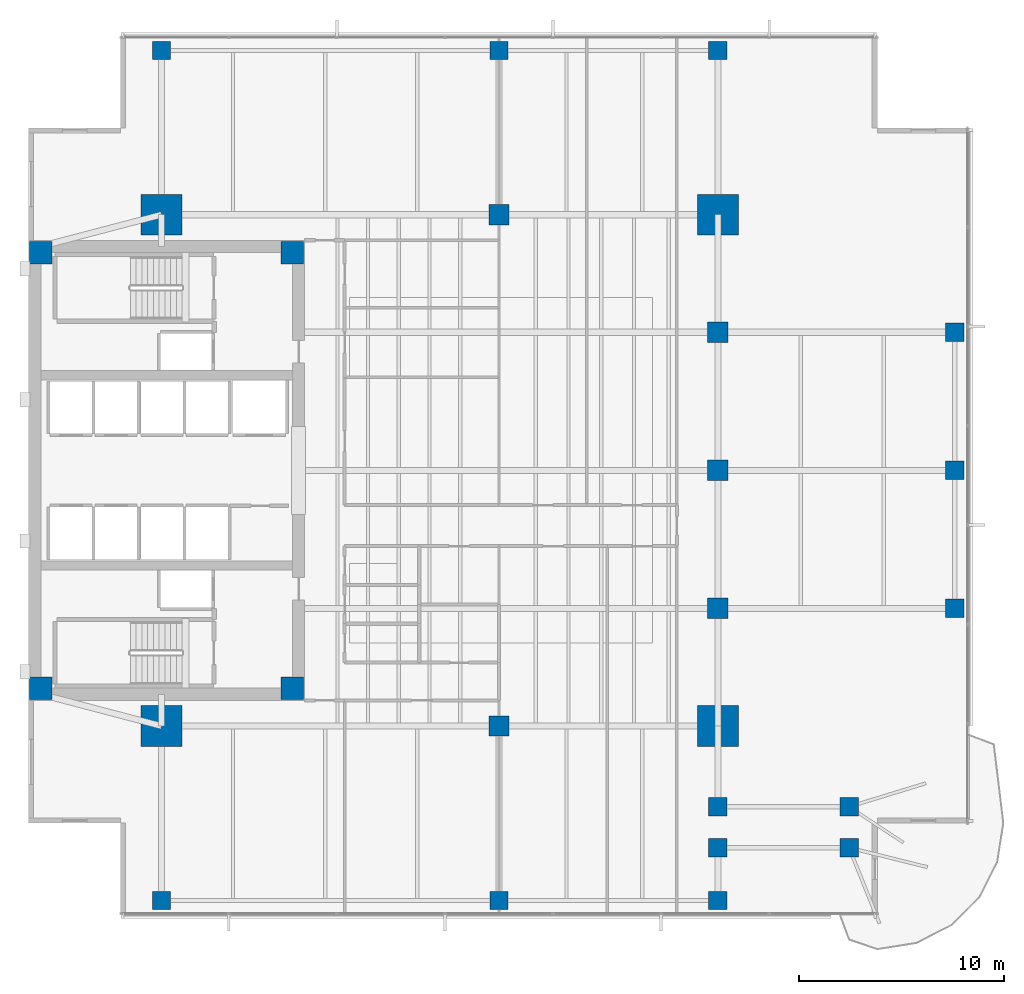
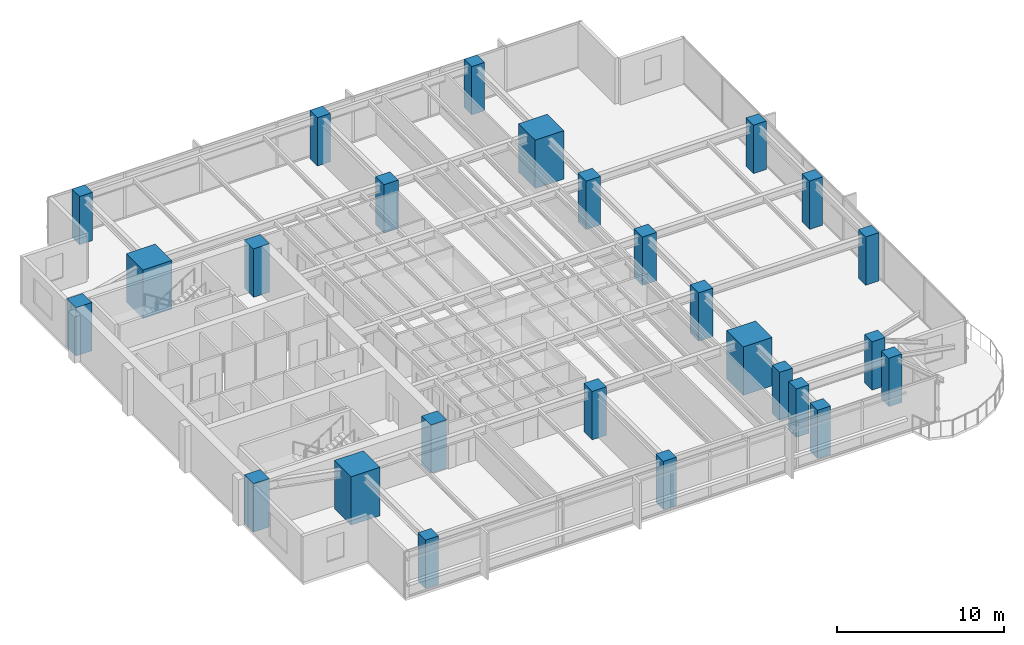
# One storey, part 1 of 14: 26 columns.
"""IFC4 building model written with IfcOpenShell, lengths in metres."""

from ifc_helpers import new_model, si_unit, direction, frame, origin, origin_2d, place, context, subcontext, project, spatial, rectangle, extrude, material, material_profile, profile_set, type_object, element, save


model = new_model("IFC4")

# Units and contexts
model_context = context("Model", 3, precision=1e-05, world=origin(), true_north=direction((0.0, 1.0)))
body_context = subcontext(model_context, "Body", "Model", "MODEL_VIEW")
ifc_project = project(units=[si_unit("LENGTHUNIT", "METRE"), si_unit("AREAUNIT", "SQUARE_METRE"), si_unit("VOLUMEUNIT", "CUBIC_METRE"), si_unit("PLANEANGLEUNIT", "RADIAN"), si_unit("MASSUNIT", "GRAM", prefix="KILO")], contexts=[model_context])

# Site, building, storey
site_placement = place(None, origin())
site = spatial("IfcSite", under=ifc_project, at=site_placement, CompositionType="ELEMENT")
building_placement = place(site_placement, origin())
building = spatial("IfcBuilding", under=site, at=building_placement, Name="Kinhvarn Gate Tower", CompositionType="ELEMENT")
storey_placement = place(building_placement, frame((0.0, 0.0, 127.10009765625)))
storey = spatial("IfcBuildingStorey", under=building, at=storey_placement, Name="L33", CompositionType="ELEMENT", Elevation=127.10009765625)

# Columns
ifc_material = material(Name="Concrete C60/75", Category="concrete")
ifc_material_profile_1 = material_profile(ifc_material, rectangle(XDim=2.0, YDim=2.0, at=origin_2d()), Name="RC 2000x2000")
ifc_profile_set_1 = profile_set([ifc_material_profile_1], Name="Concrete C60/75")
column_type_1 = type_object("IfcColumnType", Name="COL-MC-2000", PredefinedType="COLUMN", material=ifc_profile_set_1)
for number, where, z_axis, x_axis, name in (
    (1, (11.0, 12.75, 0.0), (0.0, 0.0, 1.0), (1.0, 0.0, 0.0), "Column MC1-L33 (MC-20)"),
    (2, (11.0, 37.75, 0.0), (0.0, 0.0, 1.0), (1.0, 0.0, 0.0), "Column MC4-L33 (MC-20)"),
    (3, (38.199951171875, 12.75, 0.0), (0.0, 0.0, 1.0), (1.0, 0.0, 0.0), "Column MC2-L33 (MC-20)"),
    (4, (38.199951171875, 37.75, 0.0), (0.0, 0.0, 1.0), (1.0, 0.0, 0.0), "Column MC3-L33 (MC-20)"),
):
    element("IfcColumn", number, at=place(storey_placement, frame(where, z_axis=z_axis, x_axis=x_axis)), inside=storey, type_object=column_type_1, Name=name, PredefinedType="COLUMN", context=body_context, shape_type="SweptSolid", body=[
        extrude(rectangle(XDim=2.0, YDim=2.0, at=origin_2d()), origin(), (0.0, 0.0, 1.0), 3.5498046875),
    ])
ifc_material_profile_2 = material_profile(ifc_material, rectangle(XDim=1.0, YDim=1.0, at=origin_2d()), Name="RC 1000x1000")
ifc_profile_set_2 = profile_set([ifc_material_profile_2], Name="Concrete C60/75")
column_type_2 = type_object("IfcColumnType", Name="COL-RC-1000", PredefinedType="COLUMN", material=ifc_profile_set_2)
for number, where, z_axis, x_axis, name in (
    (5, (27.5, 12.75, 0.0), (0.0, 0.0, 1.0), (1.0, 0.0, 0.0), "Column SP27-S-L33 (C-100)"),
    (6, (27.5, 37.75, 0.0), (0.0, 0.0, 1.0), (1.0, 0.0, 0.0), "Column SP27-N-L33 (C-100)"),
    (7, (38.199951171875, 18.5, 0.0), (0.0, 0.0, 1.0), (1.0, 0.0, 0.0), "Column SP38-E1-L33 (C-100)"),
    (8, (38.199951171875, 25.25, 0.0), (0.0, 0.0, 1.0), (1.0, 0.0, 0.0), "Column SP38-E2-L33 (C-100)"),
    (9, (38.199951171875, 32.0, 0.0), (0.0, 0.0, 1.0), (1.0, 0.0, 0.0), "Column SP38-E3-L33 (C-100)"),
):
    element("IfcColumn", number, at=place(storey_placement, frame(where, z_axis=z_axis, x_axis=x_axis)), inside=storey, type_object=column_type_2, Name=name, PredefinedType="COLUMN", context=body_context, shape_type="SweptSolid", body=[
        extrude(rectangle(XDim=1.0, YDim=1.0, at=origin_2d()), origin(), (0.0, 0.0, 1.0), 3.5498046875),
    ])
ifc_material_profile_3 = material_profile(ifc_material, rectangle(XDim=0.89990234375, YDim=0.89990234375, at=origin_2d()), Name="RC 900x900")
ifc_profile_set_3 = profile_set([ifc_material_profile_3], Name="Concrete C60/75")
column_type_3 = type_object("IfcColumnType", Name="COL-RC-900", PredefinedType="COLUMN", material=ifc_profile_set_3)
for number, where, z_axis, x_axis, name in (
    (10, (38.199951171875, 6.800048828125, 0.0), (0.0, 0.0, 1.0), (1.0, 0.0, 0.0), "Column CS-ANC68-L33 (C-090)"),
    (11, (38.199951171875, 8.800048828125, 0.0), (0.0, 0.0, 1.0), (1.0, 0.0, 0.0), "Column CS-ANC88-L33 (C-090)"),
    (12, (44.6201171875, 6.800048828125, 0.0), (0.0, 0.0, 1.0), (1.0, 0.0, 0.0), "Column CS-SE2-L33 (C-090)"),
    (13, (44.6201171875, 8.800048828125, 0.0), (0.0, 0.0, 1.0), (1.0, 0.0, 0.0), "Column CS-SE2B-L33 (C-090)"),
    (14, (49.780029296875, 18.5, 0.0), (0.0, 0.0, 1.0), (1.0, 0.0, 0.0), "Column CE-1-L33 (C-090)"),
    (15, (49.780029296875, 25.25, 0.0), (0.0, 0.0, 1.0), (1.0, 0.0, 0.0), "Column CE-2-L33 (C-090)"),
    (16, (49.780029296875, 32.0, 0.0), (0.0, 0.0, 1.0), (1.0, 0.0, 0.0), "Column CE-3-L33 (C-090)"),
    (17, (11.0, 4.219970703125, 0.0), (0.0, 0.0, 1.0), (1.0, 0.0, 0.0), "Column CS-0-L33 (C-090)"),
    (18, (27.5, 4.219970703125, 0.0), (0.0, 0.0, 1.0), (1.0, 0.0, 0.0), "Column CS-1-L33 (C-090)"),
    (19, (38.199951171875, 4.219970703125, 0.0), (0.0, 0.0, 1.0), (1.0, 0.0, 0.0), "Column CS-2-L33 (C-090)"),
    (20, (11.0, 45.780029296875, 0.0), (0.0, 0.0, 1.0), (1.0, 0.0, 0.0), "Column CN-0-L33 (C-090)"),
    (21, (27.5, 45.780029296875, 0.0), (0.0, 0.0, 1.0), (1.0, 0.0, 0.0), "Column CN-1-L33 (C-090)"),
    (22, (38.199951171875, 45.780029296875, 0.0), (0.0, 0.0, 1.0), (1.0, 0.0, 0.0), "Column CN-2-L33 (C-090)"),
):
    element("IfcColumn", number, at=place(storey_placement, frame(where, z_axis=z_axis, x_axis=x_axis)), inside=storey, type_object=column_type_3, Name=name, PredefinedType="COLUMN", context=body_context, shape_type="SweptSolid", body=[
        extrude(rectangle(XDim=0.89990234375, YDim=0.89990234375, at=origin_2d()), origin(), (0.0, 0.0, 1.0), 3.5498046875),
    ])
ifc_material_profile_4 = material_profile(ifc_material, rectangle(XDim=1.10009765625, YDim=1.10009765625, at=origin_2d()), Name="RC 1100x1100")
ifc_profile_set_4 = profile_set([ifc_material_profile_4], Name="Concrete C60/75")
column_type_4 = type_object("IfcColumnType", Name="PIL-RC-1100", PredefinedType="PILASTER", material=ifc_profile_set_4)
for number, where, z_axis, x_axis, name in (
    (23, (5.10009765625, 14.60009765625, 0.0), (0.0, 0.0, 1.0), (1.0, 0.0, 0.0), "Column CC-SW-L33 (CP-110)"),
    (24, (5.10009765625, 35.89990234375, 0.0), (0.0, 0.0, 1.0), (1.0, 0.0, 0.0), "Column CC-NW-L33 (CP-110)"),
    (25, (17.39990234375, 14.60009765625, 0.0), (0.0, 0.0, 1.0), (1.0, 0.0, 0.0), "Column CC-SE-L33 (CP-110)"),
    (26, (17.39990234375, 35.89990234375, 0.0), (0.0, 0.0, 1.0), (1.0, 0.0, 0.0), "Column CC-NE-L33 (CP-110)"),
):
    element("IfcColumn", number, at=place(storey_placement, frame(where, z_axis=z_axis, x_axis=x_axis)), inside=storey, type_object=column_type_4, Name=name, PredefinedType="PILASTER", context=body_context, shape_type="SweptSolid", body=[
        extrude(rectangle(XDim=1.10009765625, YDim=1.10009765625, at=origin_2d()), origin(), (0.0, 0.0, 1.0), 3.5498046875),
    ])

save(model, "model.ifc")
